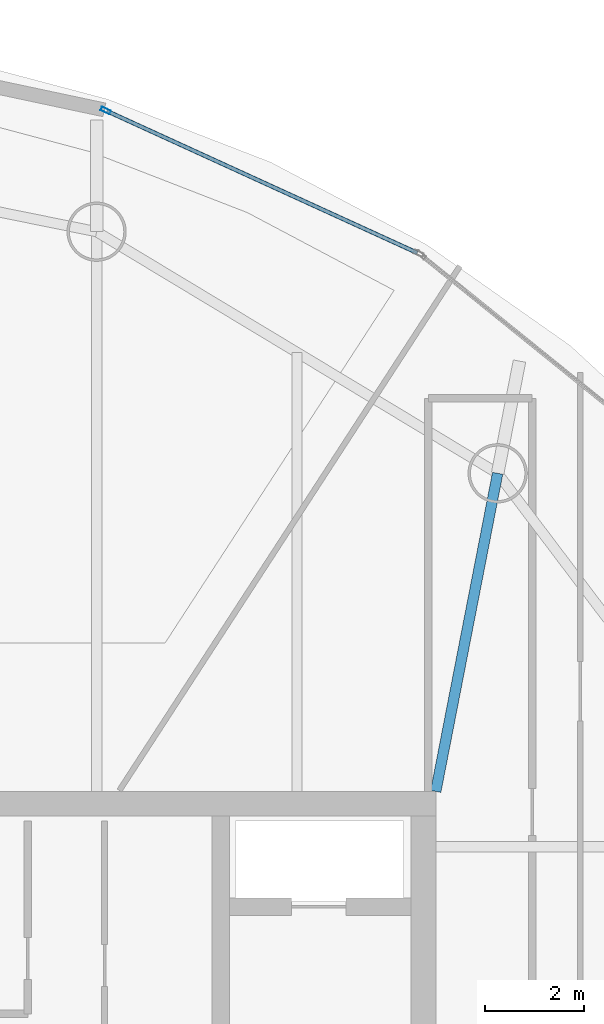
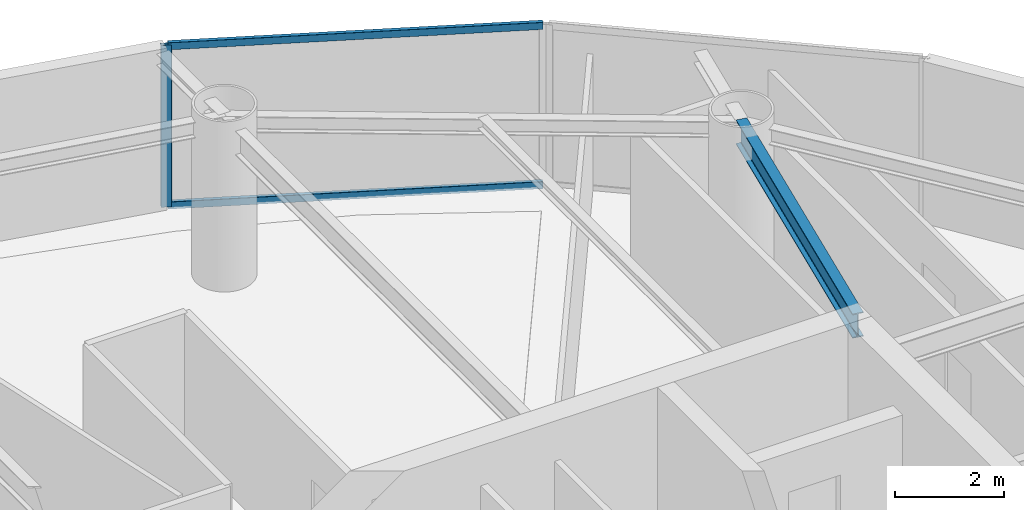
# One storey, part 10 of 19: 3 members, 1 beam, 1 element without a shape of its own.
"""IFC4 building model written with IfcOpenShell, lengths in metres."""

from ifc_helpers import new_model, si_unit, direction, frame, origin, origin_2d, place, context, subcontext, project, spatial, hollow_rectangle, i_section, extrude, material, layer, layer_set, material_profile, profile_set, type_object, element, aggregate, save


model = new_model("IFC4")

# Units and contexts
model_context = context("Model", 3, precision=1e-05, world=origin(), true_north=direction((0.0, 1.0)))
body_context = subcontext(model_context, "Body", "Model", "MODEL_VIEW")
ifc_project = project(units=[si_unit("LENGTHUNIT", "METRE"), si_unit("AREAUNIT", "SQUARE_METRE"), si_unit("VOLUMEUNIT", "CUBIC_METRE"), si_unit("PLANEANGLEUNIT", "RADIAN"), si_unit("MASSUNIT", "GRAM", prefix="KILO")], contexts=[model_context])

# Site, building, storey
site_placement = place(None, origin())
site = spatial("IfcSite", under=ifc_project, at=site_placement, CompositionType="ELEMENT")
building_placement = place(site_placement, origin())
building = spatial("IfcBuilding", under=site, at=building_placement, Name="Bramvorn Convention Spire", CompositionType="ELEMENT")
storey_placement = place(building_placement, frame((0.0, 0.0, 217.39990234375)))
storey = spatial("IfcBuildingStorey", under=building, at=storey_placement, Name="L55", CompositionType="ELEMENT", Elevation=217.39990234375)

# Beam
ifc_material_1 = material(Name="Steel CSA G40.21 Grade 350 (350W)", Category="steel")
ifc_material_profile_1 = material_profile(ifc_material_1, i_section(OverallWidth=0.2119140625, OverallDepth=0.5439453125, WebThickness=0.01318359375, FlangeThickness=0.021240234375, FilletRadius=0.01904296875, at=origin_2d()))
ifc_profile_set_1 = profile_set([ifc_material_profile_1], Name="Steel CSA G40.21 Grade 350 (350W) - W530X123")
beam_type = type_object("IfcBeamType", Name="BM-W530X123", PredefinedType="BEAM", material=ifc_profile_set_1)
beam_placement = place(storey_placement, frame((49.25, 33.449951171875, 3.34814453125), z_axis=(0.190971329886, 0.981595614885, 0.0), x_axis=(-0.981595614885, 0.190971329886, 0.0)))
element("IfcBeam", 1, at=beam_placement, inside=storey, type_object=beam_type, Name="L55 radial floor girder MC05", PredefinedType="BEAM", context=body_context, shape_type="SweptSolid", body=[
    extrude(i_section(OverallWidth=0.2119140625, OverallDepth=0.5439453125, WebThickness=0.01318359375, FlangeThickness=0.021240234375, FilletRadius=0.01904296875, at=origin_2d()), origin(), (0.0, 0.0, 1.0), 6.5556640625),
])

# Curtain wall, members
ifc_material_2 = material(Name="Anodised Bronze Unitised Curtain Wall", Category="aluminium")
ifc_layer = layer(ifc_material_2, 0.179931640625)
ifc_layer_set = layer_set([ifc_layer], Name="Anodised Bronze Unitised Curtain Wall - CW-OFF-FRIT")
curtain_wall_type = type_object("IfcCurtainWallType", Name="CW-OFF-FRIT", PredefinedType="USERDEFINED", material=ifc_layer_set)
curtain_wall_placement = place(storey_placement, origin())
curtain_wall = element("IfcCurtainWall", 2, at=curtain_wall_placement, inside=storey, type_object=curtain_wall_type, Name="L55 fritted glass curtain wall 08", ObjectType="UNITISED CURTAIN WALL", PredefinedType="USERDEFINED")
ifc_material_3 = material(Name="Anodised Bronze Aluminium 6063-T6", Category="aluminium")
ifc_material_profile_2 = material_profile(ifc_material_3, hollow_rectangle(XDim=0.080078125, YDim=0.199951171875, WallThickness=0.00390625, InnerFilletRadius=0.0009765625, OuterFilletRadius=0.00390625, at=origin_2d()))
ifc_profile_set_2 = profile_set([ifc_material_profile_2], Name="Anodised Bronze Aluminium 6063-T6 - CWM80X200")
member_type_1 = type_object("IfcMemberType", Name="CW-MUL-180", PredefinedType="MULLION", material=ifc_profile_set_2)
member_1_placement = place(storey_placement, frame((42.573974609375, 47.2236328125, 0.0), z_axis=(0.0, 0.0, 1.0), x_axis=(0.41565300402, 0.909523270867, 0.0)))
member_1 = element("IfcMember", 3, at=member_1_placement, type_object=member_type_1, Name="CW3 mullion 1", PredefinedType="MULLION", context=body_context, shape_type="SweptSolid", body=[
    extrude(hollow_rectangle(XDim=0.080078125, YDim=0.199951171875, WallThickness=0.00390625, InnerFilletRadius=0.0009765625, OuterFilletRadius=0.00390625, at=origin_2d()), origin(), (0.0, 0.0, 1.0), 3.6201171875),
])
ifc_material_profile_3 = material_profile(ifc_material_3, hollow_rectangle(XDim=0.080078125, YDim=0.159912109375, WallThickness=0.00390625, InnerFilletRadius=0.0009765625, OuterFilletRadius=0.00390625, at=origin_2d()))
ifc_profile_set_3 = profile_set([ifc_material_profile_3], Name="Anodised Bronze Aluminium 6063-T6 - CWT80X160")
member_type_2 = type_object("IfcMemberType", Name="CW-TRN-150", PredefinedType="USERDEFINED", material=ifc_profile_set_3)
member_2_placement = place(storey_placement, frame((42.601318359375, 47.211181640625, 0.030029296875), z_axis=(0.909524562917, -0.415650176772, 0.0), x_axis=(0.415650176772, 0.909524562917, 0.0)))
member_2 = element("IfcMember", 4, at=member_2_placement, type_object=member_type_2, Name="CW3 transom 1.1", ObjectType="TRANSOM", PredefinedType="USERDEFINED", context=body_context, shape_type="SweptSolid", body=[
    extrude(hollow_rectangle(XDim=0.080078125, YDim=0.159912109375, WallThickness=0.00390625, InnerFilletRadius=0.0009765625, OuterFilletRadius=0.00390625, at=origin_2d()), origin(), (0.0, 0.0, 1.0), 6.8974609375),
])
member_3_placement = place(storey_placement, frame((42.601318359375, 47.211181640625, 3.590087890625), z_axis=(0.909524562917, -0.415650176772, 0.0), x_axis=(0.415650176772, 0.909524562917, 0.0)))
member_3 = element("IfcMember", 5, at=member_3_placement, type_object=member_type_2, Name="CW3 transom 1.2", ObjectType="TRANSOM", PredefinedType="USERDEFINED", context=body_context, shape_type="SweptSolid", body=[
    extrude(hollow_rectangle(XDim=0.080078125, YDim=0.159912109375, WallThickness=0.00390625, InnerFilletRadius=0.0009765625, OuterFilletRadius=0.00390625, at=origin_2d()), origin(), (0.0, 0.0, 1.0), 6.8974609375),
])
aggregate(curtain_wall, [member_1, member_2, member_3])

save(model, "model.ifc")
